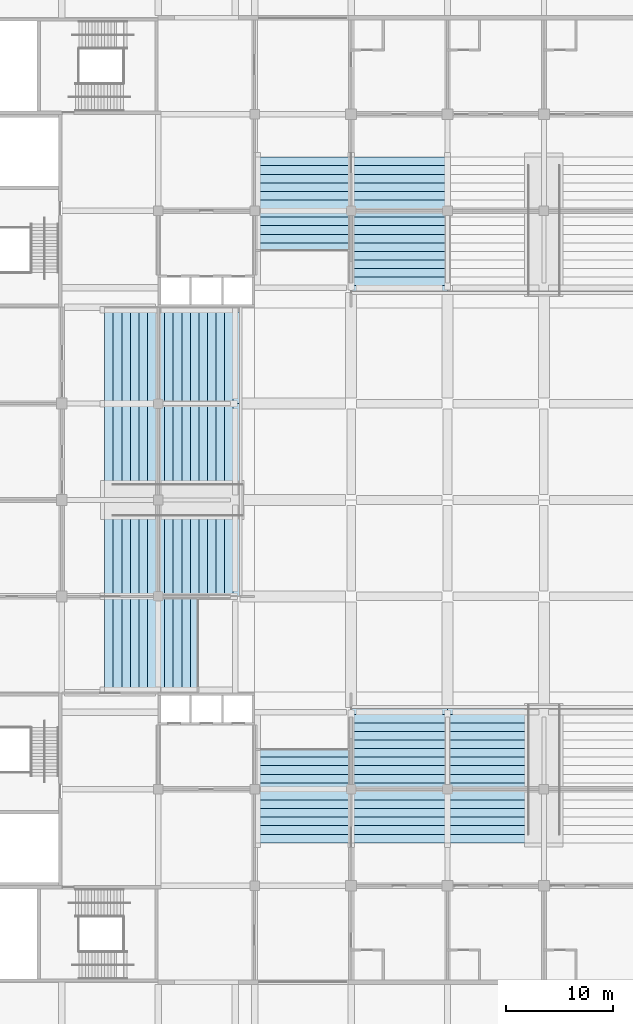
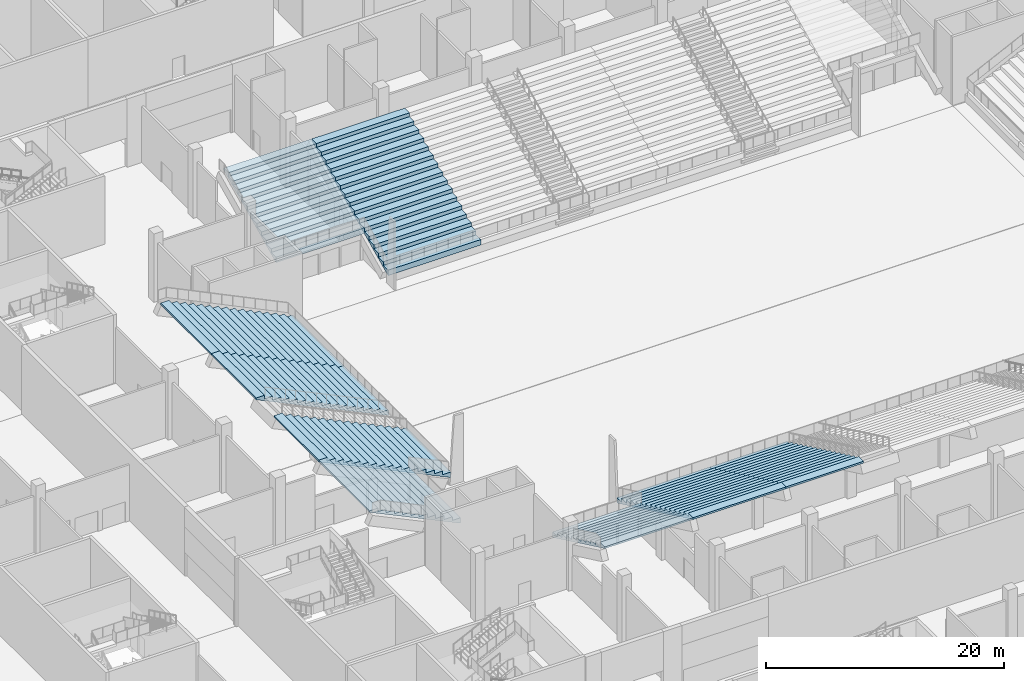
# One storey, part 48 of 92: 9 slabs.
"""IFC4 building model written with IfcOpenShell, lengths in metres."""

from ifc_helpers import new_model, si_unit, direction, origin, place, context, subcontext, project, spatial, faceted_brep, material, layer, layer_set, type_object, element, save


model = new_model("IFC4")

# Units and contexts
model_context = context("Model", 3, precision=1e-05, world=origin(), true_north=direction((0.0, 1.0)))
body_context = subcontext(model_context, "Body", "Model", "MODEL_VIEW")
ifc_project = project(units=[si_unit("LENGTHUNIT", "METRE"), si_unit("AREAUNIT", "SQUARE_METRE"), si_unit("VOLUMEUNIT", "CUBIC_METRE"), si_unit("PLANEANGLEUNIT", "RADIAN"), si_unit("MASSUNIT", "GRAM", prefix="KILO")], contexts=[model_context])

# Site, building, storey
site_placement = place(None, origin())
site = spatial("IfcSite", under=ifc_project, at=site_placement, CompositionType="ELEMENT")
building_placement = place(site_placement, origin())
building = spatial("IfcBuilding", under=site, at=building_placement, Name="Silverbay Arena", CompositionType="ELEMENT")
storey_placement = place(building_placement, origin())
storey = spatial("IfcBuildingStorey", under=building, at=storey_placement, Name="L00", CompositionType="ELEMENT", Elevation=0.0)

# Slabs
ifc_material = material(Name="Concrete Grade C45 precast", Category="concrete")
ifc_layer = layer(ifc_material, 0.56005859375)
ifc_layer_set = layer_set([ifc_layer], Name="Concrete Grade C45 precast")
slab_type = type_object("IfcSlabType", Name="Precast seating tier lower", PredefinedType="USERDEFINED", material=ifc_layer_set)
slab_1_placement = place(storey_placement, origin())
element("IfcSlab", 1, at=slab_1_placement, inside=storey, type_object=slab_type, Name="Stand South lower bay 1", ObjectType="SEATING TIER", PredefinedType="USERDEFINED", context=body_context, shape_type="Brep", body=[
    faceted_brep([(99.449951171875, 57.800048828125, 2.639892578125), (99.449951171875, 49.0, 6.820068359375), (99.449951171875, 49.0, 7.0), (99.449951171875, 49.800048828125, 7.0), (99.449951171875, 49.800048828125, 6.6201171875), (99.449951171875, 50.60009765625, 6.6201171875), (99.449951171875, 50.60009765625, 6.239990234375), (99.449951171875, 51.39990234375, 6.239990234375), (99.449951171875, 51.39990234375, 5.860107421875), (99.449951171875, 52.199951171875, 5.860107421875), (99.449951171875, 52.199951171875, 5.47998046875), (99.449951171875, 53.0, 5.47998046875), (99.449951171875, 53.0, 5.10009765625), (99.449951171875, 53.800048828125, 5.10009765625), (99.449951171875, 53.800048828125, 4.719970703125), (99.449951171875, 54.60009765625, 4.719970703125), (99.449951171875, 54.60009765625, 4.340087890625), (99.449951171875, 55.39990234375, 4.340087890625), (99.449951171875, 55.39990234375, 3.9599609375), (99.449951171875, 56.199951171875, 3.9599609375), (99.449951171875, 56.199951171875, 3.580078125), (99.449951171875, 57.0, 3.580078125), (99.449951171875, 57.0, 3.199951171875), (99.449951171875, 57.800048828125, 3.199951171875), (108.0, 57.800048828125, 3.199951171875), (108.0, 57.0, 3.199951171875), (108.0, 57.0, 3.580078125), (108.0, 56.199951171875, 3.580078125), (108.0, 56.199951171875, 3.9599609375), (108.0, 55.39990234375, 3.9599609375), (108.0, 55.39990234375, 4.340087890625), (108.0, 54.60009765625, 4.340087890625), (108.0, 54.60009765625, 4.719970703125), (108.0, 53.800048828125, 4.719970703125), (108.0, 53.800048828125, 5.10009765625), (108.0, 53.0, 5.10009765625), (108.0, 53.0, 5.47998046875), (108.0, 52.199951171875, 5.47998046875), (108.0, 52.199951171875, 5.860107421875), (108.0, 51.39990234375, 5.860107421875), (108.0, 51.39990234375, 6.239990234375), (108.0, 50.60009765625, 6.239990234375), (108.0, 50.60009765625, 6.6201171875), (108.0, 49.800048828125, 6.6201171875), (108.0, 49.800048828125, 7.0), (108.0, 49.0, 7.0), (108.0, 49.0, 6.820068359375), (108.0, 57.800048828125, 2.639892578125)], [[[0, 1, 2, 3, 4, 5, 6, 7, 8, 9, 10, 11, 12, 13, 14, 15, 16, 17, 18, 19, 20, 21, 22, 23]], [[24, 25, 26, 27, 28, 29, 30, 31, 32, 33, 34, 35, 36, 37, 38, 39, 40, 41, 42, 43, 44, 45, 46, 47]], [[23, 22, 25, 24]], [[22, 21, 26, 25]], [[21, 20, 27, 26]], [[20, 19, 28, 27]], [[19, 18, 29, 28]], [[18, 17, 30, 29]], [[17, 16, 31, 30]], [[16, 15, 32, 31]], [[15, 14, 33, 32]], [[14, 13, 34, 33]], [[13, 12, 35, 34]], [[12, 11, 36, 35]], [[11, 10, 37, 36]], [[10, 9, 38, 37]], [[9, 8, 39, 38]], [[8, 7, 40, 39]], [[7, 6, 41, 40]], [[6, 5, 42, 41]], [[5, 4, 43, 42]], [[4, 3, 44, 43]], [[3, 2, 45, 44]], [[2, 1, 46, 45]], [[1, 0, 47, 46]], [[0, 23, 24, 47]]]),
])
slab_2_placement = place(storey_placement, origin())
element("IfcSlab", 2, at=slab_2_placement, inside=storey, type_object=slab_type, Name="Stand South lower bay 2", ObjectType="SEATING TIER", PredefinedType="USERDEFINED", context=body_context, shape_type="Brep", body=[
    faceted_brep([(108.0, 61.800048828125, 0.739990234375), (108.0, 49.0, 6.820068359375), (108.0, 49.0, 7.0), (108.0, 49.800048828125, 7.0), (108.0, 49.800048828125, 6.6201171875), (108.0, 50.60009765625, 6.6201171875), (108.0, 50.60009765625, 6.239990234375), (108.0, 51.39990234375, 6.239990234375), (108.0, 51.39990234375, 5.860107421875), (108.0, 52.199951171875, 5.860107421875), (108.0, 52.199951171875, 5.47998046875), (108.0, 53.0, 5.47998046875), (108.0, 53.0, 5.10009765625), (108.0, 53.800048828125, 5.10009765625), (108.0, 53.800048828125, 4.719970703125), (108.0, 54.60009765625, 4.719970703125), (108.0, 54.60009765625, 4.340087890625), (108.0, 55.39990234375, 4.340087890625), (108.0, 55.39990234375, 3.9599609375), (108.0, 56.199951171875, 3.9599609375), (108.0, 56.199951171875, 3.580078125), (108.0, 57.0, 3.580078125), (108.0, 57.0, 3.199951171875), (108.0, 57.800048828125, 3.199951171875), (108.0, 57.800048828125, 2.820068359375), (108.0, 58.60009765625, 2.820068359375), (108.0, 58.60009765625, 2.43994140625), (108.0, 59.39990234375, 2.43994140625), (108.0, 59.39990234375, 2.06005859375), (108.0, 60.199951171875, 2.06005859375), (108.0, 60.199951171875, 1.679931640625), (108.0, 61.0, 1.679931640625), (108.0, 61.0, 1.300048828125), (108.0, 61.800048828125, 1.300048828125), (117.0, 61.800048828125, 1.300048828125), (117.0, 61.0, 1.300048828125), (117.0, 61.0, 1.679931640625), (117.0, 60.199951171875, 1.679931640625), (117.0, 60.199951171875, 2.06005859375), (117.0, 59.39990234375, 2.06005859375), (117.0, 59.39990234375, 2.43994140625), (117.0, 58.60009765625, 2.43994140625), (117.0, 58.60009765625, 2.820068359375), (117.0, 57.800048828125, 2.820068359375), (117.0, 57.800048828125, 3.199951171875), (117.0, 57.0, 3.199951171875), (117.0, 57.0, 3.580078125), (117.0, 56.199951171875, 3.580078125), (117.0, 56.199951171875, 3.9599609375), (117.0, 55.39990234375, 3.9599609375), (117.0, 55.39990234375, 4.340087890625), (117.0, 54.60009765625, 4.340087890625), (117.0, 54.60009765625, 4.719970703125), (117.0, 53.800048828125, 4.719970703125), (117.0, 53.800048828125, 5.10009765625), (117.0, 53.0, 5.10009765625), (117.0, 53.0, 5.47998046875), (117.0, 52.199951171875, 5.47998046875), (117.0, 52.199951171875, 5.860107421875), (117.0, 51.39990234375, 5.860107421875), (117.0, 51.39990234375, 6.239990234375), (117.0, 50.60009765625, 6.239990234375), (117.0, 50.60009765625, 6.6201171875), (117.0, 49.800048828125, 6.6201171875), (117.0, 49.800048828125, 7.0), (117.0, 49.0, 7.0), (117.0, 49.0, 6.820068359375), (117.0, 61.800048828125, 0.739990234375)], [[[0, 1, 2, 3, 4, 5, 6, 7, 8, 9, 10, 11, 12, 13, 14, 15, 16, 17, 18, 19, 20, 21, 22, 23, 24, 25, 26, 27, 28, 29, 30, 31, 32, 33]], [[34, 35, 36, 37, 38, 39, 40, 41, 42, 43, 44, 45, 46, 47, 48, 49, 50, 51, 52, 53, 54, 55, 56, 57, 58, 59, 60, 61, 62, 63, 64, 65, 66, 67]], [[33, 32, 35, 34]], [[32, 31, 36, 35]], [[31, 30, 37, 36]], [[30, 29, 38, 37]], [[29, 28, 39, 38]], [[28, 27, 40, 39]], [[27, 26, 41, 40]], [[26, 25, 42, 41]], [[25, 24, 43, 42]], [[24, 23, 44, 43]], [[23, 22, 45, 44]], [[22, 21, 46, 45]], [[21, 20, 47, 46]], [[20, 19, 48, 47]], [[19, 18, 49, 48]], [[18, 17, 50, 49]], [[17, 16, 51, 50]], [[16, 15, 52, 51]], [[15, 14, 53, 52]], [[14, 13, 54, 53]], [[13, 12, 55, 54]], [[12, 11, 56, 55]], [[11, 10, 57, 56]], [[10, 9, 58, 57]], [[9, 8, 59, 58]], [[8, 7, 60, 59]], [[7, 6, 61, 60]], [[6, 5, 62, 61]], [[5, 4, 63, 62]], [[4, 3, 64, 63]], [[3, 2, 65, 64]], [[2, 1, 66, 65]], [[1, 0, 67, 66]], [[0, 33, 34, 67]]]),
])
slab_3_placement = place(storey_placement, origin())
element("IfcSlab", 3, at=slab_3_placement, inside=storey, type_object=slab_type, Name="Stand South lower bay 3", ObjectType="SEATING TIER", PredefinedType="USERDEFINED", context=body_context, shape_type="Brep", body=[
    faceted_brep([(117.0, 61.800048828125, 0.739990234375), (117.0, 49.0, 6.820068359375), (117.0, 49.0, 7.0), (117.0, 49.800048828125, 7.0), (117.0, 49.800048828125, 6.6201171875), (117.0, 50.60009765625, 6.6201171875), (117.0, 50.60009765625, 6.239990234375), (117.0, 51.39990234375, 6.239990234375), (117.0, 51.39990234375, 5.860107421875), (117.0, 52.199951171875, 5.860107421875), (117.0, 52.199951171875, 5.47998046875), (117.0, 53.0, 5.47998046875), (117.0, 53.0, 5.10009765625), (117.0, 53.800048828125, 5.10009765625), (117.0, 53.800048828125, 4.719970703125), (117.0, 54.60009765625, 4.719970703125), (117.0, 54.60009765625, 4.340087890625), (117.0, 55.39990234375, 4.340087890625), (117.0, 55.39990234375, 3.9599609375), (117.0, 56.199951171875, 3.9599609375), (117.0, 56.199951171875, 3.580078125), (117.0, 57.0, 3.580078125), (117.0, 57.0, 3.199951171875), (117.0, 57.800048828125, 3.199951171875), (117.0, 57.800048828125, 2.820068359375), (117.0, 58.60009765625, 2.820068359375), (117.0, 58.60009765625, 2.43994140625), (117.0, 59.39990234375, 2.43994140625), (117.0, 59.39990234375, 2.06005859375), (117.0, 60.199951171875, 2.06005859375), (117.0, 60.199951171875, 1.679931640625), (117.0, 61.0, 1.679931640625), (117.0, 61.0, 1.300048828125), (117.0, 61.800048828125, 1.300048828125), (124.5, 61.800048828125, 1.300048828125), (124.5, 61.0, 1.300048828125), (124.5, 61.0, 1.679931640625), (124.5, 60.199951171875, 1.679931640625), (124.5, 60.199951171875, 2.06005859375), (124.5, 59.39990234375, 2.06005859375), (124.5, 59.39990234375, 2.43994140625), (124.5, 58.60009765625, 2.43994140625), (124.5, 58.60009765625, 2.820068359375), (124.5, 57.800048828125, 2.820068359375), (124.5, 57.800048828125, 3.199951171875), (124.5, 57.0, 3.199951171875), (124.5, 57.0, 3.580078125), (124.5, 56.199951171875, 3.580078125), (124.5, 56.199951171875, 3.9599609375), (124.5, 55.39990234375, 3.9599609375), (124.5, 55.39990234375, 4.340087890625), (124.5, 54.60009765625, 4.340087890625), (124.5, 54.60009765625, 4.719970703125), (124.5, 53.800048828125, 4.719970703125), (124.5, 53.800048828125, 5.10009765625), (124.5, 53.0, 5.10009765625), (124.5, 53.0, 5.47998046875), (124.5, 52.199951171875, 5.47998046875), (124.5, 52.199951171875, 5.860107421875), (124.5, 51.39990234375, 5.860107421875), (124.5, 51.39990234375, 6.239990234375), (124.5, 50.60009765625, 6.239990234375), (124.5, 50.60009765625, 6.6201171875), (124.5, 49.800048828125, 6.6201171875), (124.5, 49.800048828125, 7.0), (124.5, 49.0, 7.0), (124.5, 49.0, 6.820068359375), (124.5, 61.800048828125, 0.739990234375)], [[[0, 1, 2, 3, 4, 5, 6, 7, 8, 9, 10, 11, 12, 13, 14, 15, 16, 17, 18, 19, 20, 21, 22, 23, 24, 25, 26, 27, 28, 29, 30, 31, 32, 33]], [[34, 35, 36, 37, 38, 39, 40, 41, 42, 43, 44, 45, 46, 47, 48, 49, 50, 51, 52, 53, 54, 55, 56, 57, 58, 59, 60, 61, 62, 63, 64, 65, 66, 67]], [[33, 32, 35, 34]], [[32, 31, 36, 35]], [[31, 30, 37, 36]], [[30, 29, 38, 37]], [[29, 28, 39, 38]], [[28, 27, 40, 39]], [[27, 26, 41, 40]], [[26, 25, 42, 41]], [[25, 24, 43, 42]], [[24, 23, 44, 43]], [[23, 22, 45, 44]], [[22, 21, 46, 45]], [[21, 20, 47, 46]], [[20, 19, 48, 47]], [[19, 18, 49, 48]], [[18, 17, 50, 49]], [[17, 16, 51, 50]], [[16, 15, 52, 51]], [[15, 14, 53, 52]], [[14, 13, 54, 53]], [[13, 12, 55, 54]], [[12, 11, 56, 55]], [[11, 10, 57, 56]], [[10, 9, 58, 57]], [[9, 8, 59, 58]], [[8, 7, 60, 59]], [[7, 6, 61, 60]], [[6, 5, 62, 61]], [[5, 4, 63, 62]], [[4, 3, 64, 63]], [[3, 2, 65, 64]], [[2, 1, 66, 65]], [[1, 0, 67, 66]], [[0, 33, 34, 67]]]),
])
slab_4_placement = place(storey_placement, origin())
element("IfcSlab", 4, at=slab_4_placement, inside=storey, type_object=slab_type, Name="Stand North lower bay 1", ObjectType="SEATING TIER", PredefinedType="USERDEFINED", context=body_context, shape_type="Brep", body=[
    faceted_brep([(99.449951171875, 104.199951171875, 3.199951171875), (99.449951171875, 105.0, 3.199951171875), (99.449951171875, 105.0, 3.580078125), (99.449951171875, 105.800048828125, 3.580078125), (99.449951171875, 105.800048828125, 3.9599609375), (99.449951171875, 106.60009765625, 3.9599609375), (99.449951171875, 106.60009765625, 4.340087890625), (99.449951171875, 107.39990234375, 4.340087890625), (99.449951171875, 107.39990234375, 4.719970703125), (99.449951171875, 108.199951171875, 4.719970703125), (99.449951171875, 108.199951171875, 5.10009765625), (99.449951171875, 109.0, 5.10009765625), (99.449951171875, 109.0, 5.47998046875), (99.449951171875, 109.800048828125, 5.47998046875), (99.449951171875, 109.800048828125, 5.860107421875), (99.449951171875, 110.60009765625, 5.860107421875), (99.449951171875, 110.60009765625, 6.239990234375), (99.449951171875, 111.39990234375, 6.239990234375), (99.449951171875, 111.39990234375, 6.6201171875), (99.449951171875, 112.199951171875, 6.6201171875), (99.449951171875, 112.199951171875, 7.0), (99.449951171875, 113.0, 7.0), (99.449951171875, 113.0, 6.820068359375), (99.449951171875, 104.199951171875, 2.639892578125), (108.0, 104.199951171875, 2.639892578125), (108.0, 113.0, 6.820068359375), (108.0, 113.0, 7.0), (108.0, 112.199951171875, 7.0), (108.0, 112.199951171875, 6.6201171875), (108.0, 111.39990234375, 6.6201171875), (108.0, 111.39990234375, 6.239990234375), (108.0, 110.60009765625, 6.239990234375), (108.0, 110.60009765625, 5.860107421875), (108.0, 109.800048828125, 5.860107421875), (108.0, 109.800048828125, 5.47998046875), (108.0, 109.0, 5.47998046875), (108.0, 109.0, 5.10009765625), (108.0, 108.199951171875, 5.10009765625), (108.0, 108.199951171875, 4.719970703125), (108.0, 107.39990234375, 4.719970703125), (108.0, 107.39990234375, 4.340087890625), (108.0, 106.60009765625, 4.340087890625), (108.0, 106.60009765625, 3.9599609375), (108.0, 105.800048828125, 3.9599609375), (108.0, 105.800048828125, 3.580078125), (108.0, 105.0, 3.580078125), (108.0, 105.0, 3.199951171875), (108.0, 104.199951171875, 3.199951171875)], [[[0, 1, 2, 3, 4, 5, 6, 7, 8, 9, 10, 11, 12, 13, 14, 15, 16, 17, 18, 19, 20, 21, 22, 23]], [[24, 25, 26, 27, 28, 29, 30, 31, 32, 33, 34, 35, 36, 37, 38, 39, 40, 41, 42, 43, 44, 45, 46, 47]], [[47, 46, 1, 0]], [[46, 45, 2, 1]], [[45, 44, 3, 2]], [[44, 43, 4, 3]], [[43, 42, 5, 4]], [[42, 41, 6, 5]], [[41, 40, 7, 6]], [[40, 39, 8, 7]], [[39, 38, 9, 8]], [[38, 37, 10, 9]], [[37, 36, 11, 10]], [[36, 35, 12, 11]], [[35, 34, 13, 12]], [[34, 33, 14, 13]], [[33, 32, 15, 14]], [[32, 31, 16, 15]], [[31, 30, 17, 16]], [[30, 29, 18, 17]], [[29, 28, 19, 18]], [[28, 27, 20, 19]], [[27, 26, 21, 20]], [[26, 25, 22, 21]], [[25, 24, 23, 22]], [[24, 47, 0, 23]]]),
])
slab_5_placement = place(storey_placement, origin())
element("IfcSlab", 5, at=slab_5_placement, inside=storey, type_object=slab_type, Name="Stand North lower bay 2", ObjectType="SEATING TIER", PredefinedType="USERDEFINED", context=body_context, shape_type="Brep", body=[
    faceted_brep([(108.0, 100.199951171875, 1.300048828125), (108.0, 101.0, 1.300048828125), (108.0, 101.0, 1.679931640625), (108.0, 101.800048828125, 1.679931640625), (108.0, 101.800048828125, 2.06005859375), (108.0, 102.60009765625, 2.06005859375), (108.0, 102.60009765625, 2.43994140625), (108.0, 103.39990234375, 2.43994140625), (108.0, 103.39990234375, 2.820068359375), (108.0, 104.199951171875, 2.820068359375), (108.0, 104.199951171875, 3.199951171875), (108.0, 105.0, 3.199951171875), (108.0, 105.0, 3.580078125), (108.0, 105.800048828125, 3.580078125), (108.0, 105.800048828125, 3.9599609375), (108.0, 106.60009765625, 3.9599609375), (108.0, 106.60009765625, 4.340087890625), (108.0, 107.39990234375, 4.340087890625), (108.0, 107.39990234375, 4.719970703125), (108.0, 108.199951171875, 4.719970703125), (108.0, 108.199951171875, 5.10009765625), (108.0, 109.0, 5.10009765625), (108.0, 109.0, 5.47998046875), (108.0, 109.800048828125, 5.47998046875), (108.0, 109.800048828125, 5.860107421875), (108.0, 110.60009765625, 5.860107421875), (108.0, 110.60009765625, 6.239990234375), (108.0, 111.39990234375, 6.239990234375), (108.0, 111.39990234375, 6.6201171875), (108.0, 112.199951171875, 6.6201171875), (108.0, 112.199951171875, 7.0), (108.0, 113.0, 7.0), (108.0, 113.0, 6.820068359375), (108.0, 100.199951171875, 0.739990234375), (117.0, 100.199951171875, 0.739990234375), (117.0, 113.0, 6.820068359375), (117.0, 113.0, 7.0), (117.0, 112.199951171875, 7.0), (117.0, 112.199951171875, 6.6201171875), (117.0, 111.39990234375, 6.6201171875), (117.0, 111.39990234375, 6.239990234375), (117.0, 110.60009765625, 6.239990234375), (117.0, 110.60009765625, 5.860107421875), (117.0, 109.800048828125, 5.860107421875), (117.0, 109.800048828125, 5.47998046875), (117.0, 109.0, 5.47998046875), (117.0, 109.0, 5.10009765625), (117.0, 108.199951171875, 5.10009765625), (117.0, 108.199951171875, 4.719970703125), (117.0, 107.39990234375, 4.719970703125), (117.0, 107.39990234375, 4.340087890625), (117.0, 106.60009765625, 4.340087890625), (117.0, 106.60009765625, 3.9599609375), (117.0, 105.800048828125, 3.9599609375), (117.0, 105.800048828125, 3.580078125), (117.0, 105.0, 3.580078125), (117.0, 105.0, 3.199951171875), (117.0, 104.199951171875, 3.199951171875), (117.0, 104.199951171875, 2.820068359375), (117.0, 103.39990234375, 2.820068359375), (117.0, 103.39990234375, 2.43994140625), (117.0, 102.60009765625, 2.43994140625), (117.0, 102.60009765625, 2.06005859375), (117.0, 101.800048828125, 2.06005859375), (117.0, 101.800048828125, 1.679931640625), (117.0, 101.0, 1.679931640625), (117.0, 101.0, 1.300048828125), (117.0, 100.199951171875, 1.300048828125)], [[[0, 1, 2, 3, 4, 5, 6, 7, 8, 9, 10, 11, 12, 13, 14, 15, 16, 17, 18, 19, 20, 21, 22, 23, 24, 25, 26, 27, 28, 29, 30, 31, 32, 33]], [[34, 35, 36, 37, 38, 39, 40, 41, 42, 43, 44, 45, 46, 47, 48, 49, 50, 51, 52, 53, 54, 55, 56, 57, 58, 59, 60, 61, 62, 63, 64, 65, 66, 67]], [[67, 66, 1, 0]], [[66, 65, 2, 1]], [[65, 64, 3, 2]], [[64, 63, 4, 3]], [[63, 62, 5, 4]], [[62, 61, 6, 5]], [[61, 60, 7, 6]], [[60, 59, 8, 7]], [[59, 58, 9, 8]], [[58, 57, 10, 9]], [[57, 56, 11, 10]], [[56, 55, 12, 11]], [[55, 54, 13, 12]], [[54, 53, 14, 13]], [[53, 52, 15, 14]], [[52, 51, 16, 15]], [[51, 50, 17, 16]], [[50, 49, 18, 17]], [[49, 48, 19, 18]], [[48, 47, 20, 19]], [[47, 46, 21, 20]], [[46, 45, 22, 21]], [[45, 44, 23, 22]], [[44, 43, 24, 23]], [[43, 42, 25, 24]], [[42, 41, 26, 25]], [[41, 40, 27, 26]], [[40, 39, 28, 27]], [[39, 38, 29, 28]], [[38, 37, 30, 29]], [[37, 36, 31, 30]], [[36, 35, 32, 31]], [[35, 34, 33, 32]], [[34, 67, 0, 33]]]),
])
slab_6_placement = place(storey_placement, origin())
element("IfcSlab", 6, at=slab_6_placement, inside=storey, type_object=slab_type, Name="Stand West lower bay 1", ObjectType="SEATING TIER", PredefinedType="USERDEFINED", context=body_context, shape_type="Brep", body=[
    faceted_brep([(93.800048828125, 63.449951171875, 3.199951171875), (93.0, 63.449951171875, 3.199951171875), (93.0, 63.449951171875, 3.580078125), (92.199951171875, 63.449951171875, 3.580078125), (92.199951171875, 63.449951171875, 3.9599609375), (91.39990234375, 63.449951171875, 3.9599609375), (91.39990234375, 63.449951171875, 4.340087890625), (90.60009765625, 63.449951171875, 4.340087890625), (90.60009765625, 63.449951171875, 4.719970703125), (89.800048828125, 63.449951171875, 4.719970703125), (89.800048828125, 63.449951171875, 5.10009765625), (89.0, 63.449951171875, 5.10009765625), (89.0, 63.449951171875, 5.47998046875), (88.199951171875, 63.449951171875, 5.47998046875), (88.199951171875, 63.449951171875, 5.860107421875), (87.39990234375, 63.449951171875, 5.860107421875), (87.39990234375, 63.449951171875, 6.239990234375), (86.60009765625, 63.449951171875, 6.239990234375), (86.60009765625, 63.449951171875, 6.6201171875), (85.800048828125, 63.449951171875, 6.6201171875), (85.800048828125, 63.449951171875, 7.0), (85.0, 63.449951171875, 7.0), (85.0, 63.449951171875, 6.820068359375), (93.800048828125, 63.449951171875, 2.639892578125), (93.800048828125, 72.0, 2.639892578125), (85.0, 72.0, 6.820068359375), (85.0, 72.0, 7.0), (85.800048828125, 72.0, 7.0), (85.800048828125, 72.0, 6.6201171875), (86.60009765625, 72.0, 6.6201171875), (86.60009765625, 72.0, 6.239990234375), (87.39990234375, 72.0, 6.239990234375), (87.39990234375, 72.0, 5.860107421875), (88.199951171875, 72.0, 5.860107421875), (88.199951171875, 72.0, 5.47998046875), (89.0, 72.0, 5.47998046875), (89.0, 72.0, 5.10009765625), (89.800048828125, 72.0, 5.10009765625), (89.800048828125, 72.0, 4.719970703125), (90.60009765625, 72.0, 4.719970703125), (90.60009765625, 72.0, 4.340087890625), (91.39990234375, 72.0, 4.340087890625), (91.39990234375, 72.0, 3.9599609375), (92.199951171875, 72.0, 3.9599609375), (92.199951171875, 72.0, 3.580078125), (93.0, 72.0, 3.580078125), (93.0, 72.0, 3.199951171875), (93.800048828125, 72.0, 3.199951171875)], [[[0, 1, 2, 3, 4, 5, 6, 7, 8, 9, 10, 11, 12, 13, 14, 15, 16, 17, 18, 19, 20, 21, 22, 23]], [[24, 25, 26, 27, 28, 29, 30, 31, 32, 33, 34, 35, 36, 37, 38, 39, 40, 41, 42, 43, 44, 45, 46, 47]], [[47, 46, 1, 0]], [[46, 45, 2, 1]], [[45, 44, 3, 2]], [[44, 43, 4, 3]], [[43, 42, 5, 4]], [[42, 41, 6, 5]], [[41, 40, 7, 6]], [[40, 39, 8, 7]], [[39, 38, 9, 8]], [[38, 37, 10, 9]], [[37, 36, 11, 10]], [[36, 35, 12, 11]], [[35, 34, 13, 12]], [[34, 33, 14, 13]], [[33, 32, 15, 14]], [[32, 31, 16, 15]], [[31, 30, 17, 16]], [[30, 29, 18, 17]], [[29, 28, 19, 18]], [[28, 27, 20, 19]], [[27, 26, 21, 20]], [[26, 25, 22, 21]], [[25, 24, 23, 22]], [[24, 47, 0, 23]]]),
])
slab_7_placement = place(storey_placement, origin())
element("IfcSlab", 7, at=slab_7_placement, inside=storey, type_object=slab_type, Name="Stand West lower bay 2", ObjectType="SEATING TIER", PredefinedType="USERDEFINED", context=body_context, shape_type="Brep", body=[
    faceted_brep([(97.800048828125, 72.0, 1.300048828125), (97.0, 72.0, 1.300048828125), (97.0, 72.0, 1.679931640625), (96.199951171875, 72.0, 1.679931640625), (96.199951171875, 72.0, 2.06005859375), (95.39990234375, 72.0, 2.06005859375), (95.39990234375, 72.0, 2.43994140625), (94.60009765625, 72.0, 2.43994140625), (94.60009765625, 72.0, 2.820068359375), (93.800048828125, 72.0, 2.820068359375), (93.800048828125, 72.0, 3.199951171875), (93.0, 72.0, 3.199951171875), (93.0, 72.0, 3.580078125), (92.199951171875, 72.0, 3.580078125), (92.199951171875, 72.0, 3.9599609375), (91.39990234375, 72.0, 3.9599609375), (91.39990234375, 72.0, 4.340087890625), (90.60009765625, 72.0, 4.340087890625), (90.60009765625, 72.0, 4.719970703125), (89.800048828125, 72.0, 4.719970703125), (89.800048828125, 72.0, 5.10009765625), (89.0, 72.0, 5.10009765625), (89.0, 72.0, 5.47998046875), (88.199951171875, 72.0, 5.47998046875), (88.199951171875, 72.0, 5.860107421875), (87.39990234375, 72.0, 5.860107421875), (87.39990234375, 72.0, 6.239990234375), (86.60009765625, 72.0, 6.239990234375), (86.60009765625, 72.0, 6.6201171875), (85.800048828125, 72.0, 6.6201171875), (85.800048828125, 72.0, 7.0), (85.0, 72.0, 7.0), (85.0, 72.0, 6.820068359375), (97.800048828125, 72.0, 0.739990234375), (97.800048828125, 79.5, 0.739990234375), (85.0, 79.5, 6.820068359375), (85.0, 79.5, 7.0), (85.800048828125, 79.5, 7.0), (85.800048828125, 79.5, 6.6201171875), (86.60009765625, 79.5, 6.6201171875), (86.60009765625, 79.5, 6.239990234375), (87.39990234375, 79.5, 6.239990234375), (87.39990234375, 79.5, 5.860107421875), (88.199951171875, 79.5, 5.860107421875), (88.199951171875, 79.5, 5.47998046875), (89.0, 79.5, 5.47998046875), (89.0, 79.5, 5.10009765625), (89.800048828125, 79.5, 5.10009765625), (89.800048828125, 79.5, 4.719970703125), (90.60009765625, 79.5, 4.719970703125), (90.60009765625, 79.5, 4.340087890625), (91.39990234375, 79.5, 4.340087890625), (91.39990234375, 79.5, 3.9599609375), (92.199951171875, 79.5, 3.9599609375), (92.199951171875, 79.5, 3.580078125), (93.0, 79.5, 3.580078125), (93.0, 79.5, 3.199951171875), (93.800048828125, 79.5, 3.199951171875), (93.800048828125, 79.5, 2.820068359375), (94.60009765625, 79.5, 2.820068359375), (94.60009765625, 79.5, 2.43994140625), (95.39990234375, 79.5, 2.43994140625), (95.39990234375, 79.5, 2.06005859375), (96.199951171875, 79.5, 2.06005859375), (96.199951171875, 79.5, 1.679931640625), (97.0, 79.5, 1.679931640625), (97.0, 79.5, 1.300048828125), (97.800048828125, 79.5, 1.300048828125)], [[[0, 1, 2, 3, 4, 5, 6, 7, 8, 9, 10, 11, 12, 13, 14, 15, 16, 17, 18, 19, 20, 21, 22, 23, 24, 25, 26, 27, 28, 29, 30, 31, 32, 33]], [[34, 35, 36, 37, 38, 39, 40, 41, 42, 43, 44, 45, 46, 47, 48, 49, 50, 51, 52, 53, 54, 55, 56, 57, 58, 59, 60, 61, 62, 63, 64, 65, 66, 67]], [[67, 66, 1, 0]], [[66, 65, 2, 1]], [[65, 64, 3, 2]], [[64, 63, 4, 3]], [[63, 62, 5, 4]], [[62, 61, 6, 5]], [[61, 60, 7, 6]], [[60, 59, 8, 7]], [[59, 58, 9, 8]], [[58, 57, 10, 9]], [[57, 56, 11, 10]], [[56, 55, 12, 11]], [[55, 54, 13, 12]], [[54, 53, 14, 13]], [[53, 52, 15, 14]], [[52, 51, 16, 15]], [[51, 50, 17, 16]], [[50, 49, 18, 17]], [[49, 48, 19, 18]], [[48, 47, 20, 19]], [[47, 46, 21, 20]], [[46, 45, 22, 21]], [[45, 44, 23, 22]], [[44, 43, 24, 23]], [[43, 42, 25, 24]], [[42, 41, 26, 25]], [[41, 40, 27, 26]], [[40, 39, 28, 27]], [[39, 38, 29, 28]], [[38, 37, 30, 29]], [[37, 36, 31, 30]], [[36, 35, 32, 31]], [[35, 34, 33, 32]], [[34, 67, 0, 33]]]),
])
slab_8_placement = place(storey_placement, origin())
element("IfcSlab", 8, at=slab_8_placement, inside=storey, type_object=slab_type, Name="Stand West lower bay 3", ObjectType="SEATING TIER", PredefinedType="USERDEFINED", context=body_context, shape_type="Brep", body=[
    faceted_brep([(97.800048828125, 82.5, 1.300048828125), (97.0, 82.5, 1.300048828125), (97.0, 82.5, 1.679931640625), (96.199951171875, 82.5, 1.679931640625), (96.199951171875, 82.5, 2.06005859375), (95.39990234375, 82.5, 2.06005859375), (95.39990234375, 82.5, 2.43994140625), (94.60009765625, 82.5, 2.43994140625), (94.60009765625, 82.5, 2.820068359375), (93.800048828125, 82.5, 2.820068359375), (93.800048828125, 82.5, 3.199951171875), (93.0, 82.5, 3.199951171875), (93.0, 82.5, 3.580078125), (92.199951171875, 82.5, 3.580078125), (92.199951171875, 82.5, 3.9599609375), (91.39990234375, 82.5, 3.9599609375), (91.39990234375, 82.5, 4.340087890625), (90.60009765625, 82.5, 4.340087890625), (90.60009765625, 82.5, 4.719970703125), (89.800048828125, 82.5, 4.719970703125), (89.800048828125, 82.5, 5.10009765625), (89.0, 82.5, 5.10009765625), (89.0, 82.5, 5.47998046875), (88.199951171875, 82.5, 5.47998046875), (88.199951171875, 82.5, 5.860107421875), (87.39990234375, 82.5, 5.860107421875), (87.39990234375, 82.5, 6.239990234375), (86.60009765625, 82.5, 6.239990234375), (86.60009765625, 82.5, 6.6201171875), (85.800048828125, 82.5, 6.6201171875), (85.800048828125, 82.5, 7.0), (85.0, 82.5, 7.0), (85.0, 82.5, 6.820068359375), (97.800048828125, 82.5, 0.739990234375), (97.800048828125, 90.0, 0.739990234375), (85.0, 90.0, 6.820068359375), (85.0, 90.0, 7.0), (85.800048828125, 90.0, 7.0), (85.800048828125, 90.0, 6.6201171875), (86.60009765625, 90.0, 6.6201171875), (86.60009765625, 90.0, 6.239990234375), (87.39990234375, 90.0, 6.239990234375), (87.39990234375, 90.0, 5.860107421875), (88.199951171875, 90.0, 5.860107421875), (88.199951171875, 90.0, 5.47998046875), (89.0, 90.0, 5.47998046875), (89.0, 90.0, 5.10009765625), (89.800048828125, 90.0, 5.10009765625), (89.800048828125, 90.0, 4.719970703125), (90.60009765625, 90.0, 4.719970703125), (90.60009765625, 90.0, 4.340087890625), (91.39990234375, 90.0, 4.340087890625), (91.39990234375, 90.0, 3.9599609375), (92.199951171875, 90.0, 3.9599609375), (92.199951171875, 90.0, 3.580078125), (93.0, 90.0, 3.580078125), (93.0, 90.0, 3.199951171875), (93.800048828125, 90.0, 3.199951171875), (93.800048828125, 90.0, 2.820068359375), (94.60009765625, 90.0, 2.820068359375), (94.60009765625, 90.0, 2.43994140625), (95.39990234375, 90.0, 2.43994140625), (95.39990234375, 90.0, 2.06005859375), (96.199951171875, 90.0, 2.06005859375), (96.199951171875, 90.0, 1.679931640625), (97.0, 90.0, 1.679931640625), (97.0, 90.0, 1.300048828125), (97.800048828125, 90.0, 1.300048828125)], [[[0, 1, 2, 3, 4, 5, 6, 7, 8, 9, 10, 11, 12, 13, 14, 15, 16, 17, 18, 19, 20, 21, 22, 23, 24, 25, 26, 27, 28, 29, 30, 31, 32, 33]], [[34, 35, 36, 37, 38, 39, 40, 41, 42, 43, 44, 45, 46, 47, 48, 49, 50, 51, 52, 53, 54, 55, 56, 57, 58, 59, 60, 61, 62, 63, 64, 65, 66, 67]], [[67, 66, 1, 0]], [[66, 65, 2, 1]], [[65, 64, 3, 2]], [[64, 63, 4, 3]], [[63, 62, 5, 4]], [[62, 61, 6, 5]], [[61, 60, 7, 6]], [[60, 59, 8, 7]], [[59, 58, 9, 8]], [[58, 57, 10, 9]], [[57, 56, 11, 10]], [[56, 55, 12, 11]], [[55, 54, 13, 12]], [[54, 53, 14, 13]], [[53, 52, 15, 14]], [[52, 51, 16, 15]], [[51, 50, 17, 16]], [[50, 49, 18, 17]], [[49, 48, 19, 18]], [[48, 47, 20, 19]], [[47, 46, 21, 20]], [[46, 45, 22, 21]], [[45, 44, 23, 22]], [[44, 43, 24, 23]], [[43, 42, 25, 24]], [[42, 41, 26, 25]], [[41, 40, 27, 26]], [[40, 39, 28, 27]], [[39, 38, 29, 28]], [[38, 37, 30, 29]], [[37, 36, 31, 30]], [[36, 35, 32, 31]], [[35, 34, 33, 32]], [[34, 67, 0, 33]]]),
])
slab_9_placement = place(storey_placement, origin())
element("IfcSlab", 9, at=slab_9_placement, inside=storey, type_object=slab_type, Name="Stand West lower bay 4", ObjectType="SEATING TIER", PredefinedType="USERDEFINED", context=body_context, shape_type="Brep", body=[
    faceted_brep([(97.800048828125, 90.0, 1.300048828125), (97.0, 90.0, 1.300048828125), (97.0, 90.0, 1.679931640625), (96.199951171875, 90.0, 1.679931640625), (96.199951171875, 90.0, 2.06005859375), (95.39990234375, 90.0, 2.06005859375), (95.39990234375, 90.0, 2.43994140625), (94.60009765625, 90.0, 2.43994140625), (94.60009765625, 90.0, 2.820068359375), (93.800048828125, 90.0, 2.820068359375), (93.800048828125, 90.0, 3.199951171875), (93.0, 90.0, 3.199951171875), (93.0, 90.0, 3.580078125), (92.199951171875, 90.0, 3.580078125), (92.199951171875, 90.0, 3.9599609375), (91.39990234375, 90.0, 3.9599609375), (91.39990234375, 90.0, 4.340087890625), (90.60009765625, 90.0, 4.340087890625), (90.60009765625, 90.0, 4.719970703125), (89.800048828125, 90.0, 4.719970703125), (89.800048828125, 90.0, 5.10009765625), (89.0, 90.0, 5.10009765625), (89.0, 90.0, 5.47998046875), (88.199951171875, 90.0, 5.47998046875), (88.199951171875, 90.0, 5.860107421875), (87.39990234375, 90.0, 5.860107421875), (87.39990234375, 90.0, 6.239990234375), (86.60009765625, 90.0, 6.239990234375), (86.60009765625, 90.0, 6.6201171875), (85.800048828125, 90.0, 6.6201171875), (85.800048828125, 90.0, 7.0), (85.0, 90.0, 7.0), (85.0, 90.0, 6.820068359375), (97.800048828125, 90.0, 0.739990234375), (97.800048828125, 98.550048828125, 0.739990234375), (85.0, 98.550048828125, 6.820068359375), (85.0, 98.550048828125, 7.0), (85.800048828125, 98.550048828125, 7.0), (85.800048828125, 98.550048828125, 6.6201171875), (86.60009765625, 98.550048828125, 6.6201171875), (86.60009765625, 98.550048828125, 6.239990234375), (87.39990234375, 98.550048828125, 6.239990234375), (87.39990234375, 98.550048828125, 5.860107421875), (88.199951171875, 98.550048828125, 5.860107421875), (88.199951171875, 98.550048828125, 5.47998046875), (89.0, 98.550048828125, 5.47998046875), (89.0, 98.550048828125, 5.10009765625), (89.800048828125, 98.550048828125, 5.10009765625), (89.800048828125, 98.550048828125, 4.719970703125), (90.60009765625, 98.550048828125, 4.719970703125), (90.60009765625, 98.550048828125, 4.340087890625), (91.39990234375, 98.550048828125, 4.340087890625), (91.39990234375, 98.550048828125, 3.9599609375), (92.199951171875, 98.550048828125, 3.9599609375), (92.199951171875, 98.550048828125, 3.580078125), (93.0, 98.550048828125, 3.580078125), (93.0, 98.550048828125, 3.199951171875), (93.800048828125, 98.550048828125, 3.199951171875), (93.800048828125, 98.550048828125, 2.820068359375), (94.60009765625, 98.550048828125, 2.820068359375), (94.60009765625, 98.550048828125, 2.43994140625), (95.39990234375, 98.550048828125, 2.43994140625), (95.39990234375, 98.550048828125, 2.06005859375), (96.199951171875, 98.550048828125, 2.06005859375), (96.199951171875, 98.550048828125, 1.679931640625), (97.0, 98.550048828125, 1.679931640625), (97.0, 98.550048828125, 1.300048828125), (97.800048828125, 98.550048828125, 1.300048828125)], [[[0, 1, 2, 3, 4, 5, 6, 7, 8, 9, 10, 11, 12, 13, 14, 15, 16, 17, 18, 19, 20, 21, 22, 23, 24, 25, 26, 27, 28, 29, 30, 31, 32, 33]], [[34, 35, 36, 37, 38, 39, 40, 41, 42, 43, 44, 45, 46, 47, 48, 49, 50, 51, 52, 53, 54, 55, 56, 57, 58, 59, 60, 61, 62, 63, 64, 65, 66, 67]], [[67, 66, 1, 0]], [[66, 65, 2, 1]], [[65, 64, 3, 2]], [[64, 63, 4, 3]], [[63, 62, 5, 4]], [[62, 61, 6, 5]], [[61, 60, 7, 6]], [[60, 59, 8, 7]], [[59, 58, 9, 8]], [[58, 57, 10, 9]], [[57, 56, 11, 10]], [[56, 55, 12, 11]], [[55, 54, 13, 12]], [[54, 53, 14, 13]], [[53, 52, 15, 14]], [[52, 51, 16, 15]], [[51, 50, 17, 16]], [[50, 49, 18, 17]], [[49, 48, 19, 18]], [[48, 47, 20, 19]], [[47, 46, 21, 20]], [[46, 45, 22, 21]], [[45, 44, 23, 22]], [[44, 43, 24, 23]], [[43, 42, 25, 24]], [[42, 41, 26, 25]], [[41, 40, 27, 26]], [[40, 39, 28, 27]], [[39, 38, 29, 28]], [[38, 37, 30, 29]], [[37, 36, 31, 30]], [[36, 35, 32, 31]], [[35, 34, 33, 32]], [[34, 67, 0, 33]]]),
])

save(model, "model.ifc")
